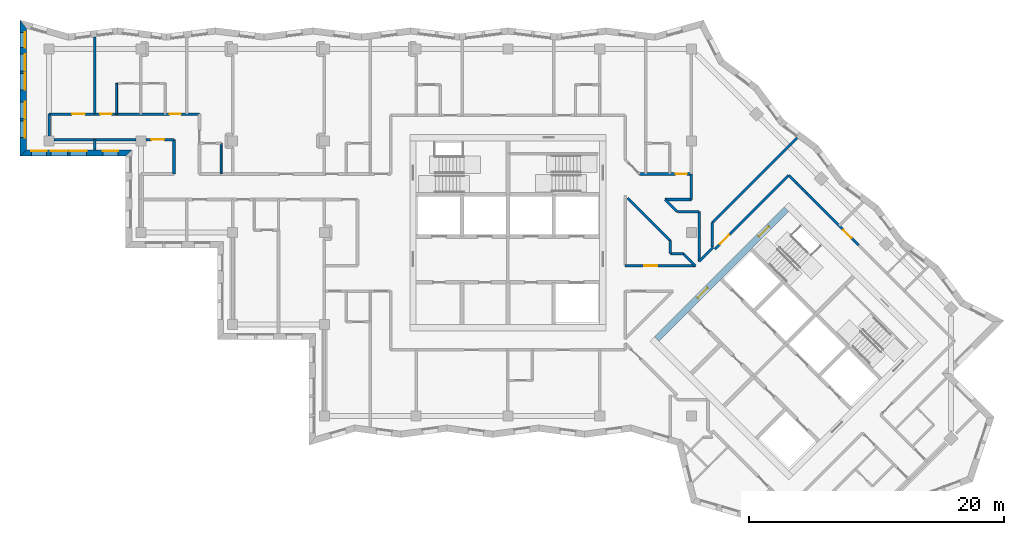
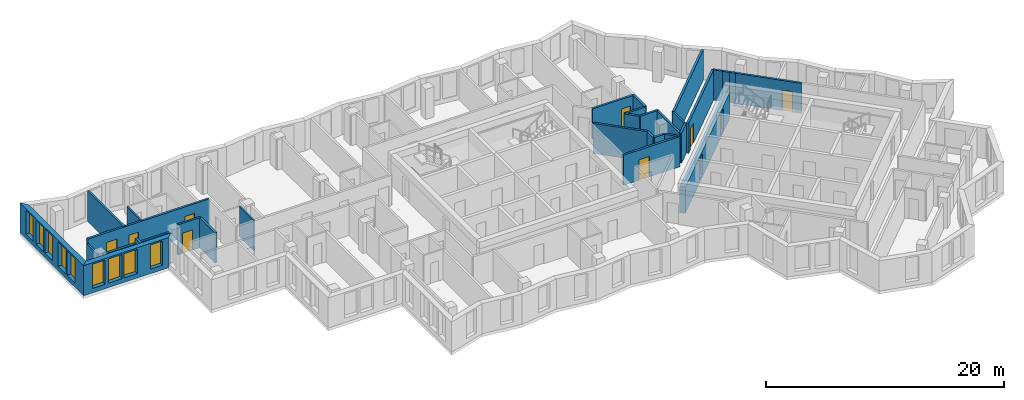
# One storey, part 5 of 12: 31 walls, 10 doors, 9 windows, 19 openings.
"""IFC4 building model written with IfcOpenShell, lengths in metres."""

from ifc_helpers import new_model, si_unit, direction, frame, frame_2d, origin, place, context, subcontext, project, spatial, polyline, rectangle, outline, extrude, material, layer, layer_set, type_object, element, fill, save


model = new_model("IFC4")

# Units and contexts
model_context = context("Model", 3, precision=1e-05, world=origin(), true_north=direction((0.0, 1.0)))
body_context = subcontext(model_context, "Body", "Model", "MODEL_VIEW")
ifc_project = project(units=[si_unit("LENGTHUNIT", "METRE"), si_unit("AREAUNIT", "SQUARE_METRE"), si_unit("VOLUMEUNIT", "CUBIC_METRE"), si_unit("PLANEANGLEUNIT", "RADIAN"), si_unit("MASSUNIT", "GRAM", prefix="KILO")], contexts=[model_context])

# Site, building, storey
site_placement = place(None, origin())
site = spatial("IfcSite", under=ifc_project, at=site_placement, CompositionType="ELEMENT")
building_placement = place(site_placement, origin())
building = spatial("IfcBuilding", under=site, at=building_placement, Name="Windrow Commons", CompositionType="ELEMENT")
storey_placement = place(building_placement, frame((0.0, 0.0, 210.0)))
storey = spatial("IfcBuildingStorey", under=building, at=storey_placement, Name="L57", CompositionType="ELEMENT", Elevation=210.0)

# Wall, openings, windows
ifc_material_1 = material(Name="Brick masonry, red clay brick", Category="masonry")
ifc_layer_1 = layer(ifc_material_1, 0.5)
ifc_layer_set_1 = layer_set([ifc_layer_1], Name="Brick facade wall 500")
wall_type_1 = type_object("IfcWallType", Name="Brick facade wall 500", PredefinedType="SOLIDWALL", material=ifc_layer_set_1)
wall_1_placement = place(storey_placement, frame((26.768, 73.9516, 0.0), z_axis=(0.0, 0.0, 1.0), x_axis=(0.0, -1.0, 0.0)))
wall_1 = element("IfcWall", 1, at=wall_1_placement, inside=storey, type_object=wall_type_1, Name="Brick facade wall L57 31", PredefinedType="SOLIDWALL", context=body_context, shape_type="SweptSolid", body=[
    extrude(outline(polyline([(-0.3304, -0.25), (10.3516, -0.25), (9.8516, 0.25), (0.3304, 0.25), (-0.3304, -0.25)])), origin(), (0.0, 0.0, 1.0), 3.1),
])
opening_1_placement = place(wall_1_placement, frame((2.3516, 0.0, 0.45)))
opening_1 = element("IfcOpeningElement", 2, at=opening_1_placement, cuts=wall_1, Name="Opening W1Q", PredefinedType="OPENING", context=body_context, shape_type="SweptSolid", body=[
    extrude(rectangle(XDim=1.3, YDim=2.5, at=frame_2d((0.65, 1.25))), frame((0.0, 0.26, 0.0), z_axis=(0.0, -1.0, 0.0), x_axis=(1.0, 0.0, 0.0)), (0.0, 0.0, 1.0), 0.52),
])
opening_2_placement = place(wall_1_placement, frame((3.8516, 0.0, 0.45)))
opening_2 = element("IfcOpeningElement", 3, at=opening_2_placement, cuts=wall_1, Name="Opening W1Q", PredefinedType="OPENING", context=body_context, shape_type="SweptSolid", body=[
    extrude(rectangle(XDim=1.3, YDim=2.5, at=frame_2d((0.65, 1.25))), frame((0.0, 0.26, 0.0), z_axis=(0.0, -1.0, 0.0), x_axis=(1.0, 0.0, 0.0)), (0.0, 0.0, 1.0), 0.52),
])
opening_3_placement = place(wall_1_placement, frame((6.1016, 0.0, 0.45)))
opening_3 = element("IfcOpeningElement", 4, at=opening_3_placement, cuts=wall_1, Name="Opening W1Q", PredefinedType="OPENING", context=body_context, shape_type="SweptSolid", body=[
    extrude(rectangle(XDim=1.3, YDim=2.5, at=frame_2d((0.65, 1.25))), frame((0.0, 0.26, 0.0), z_axis=(0.0, -1.0, 0.0), x_axis=(1.0, 0.0, 0.0)), (0.0, 0.0, 1.0), 0.52),
])
opening_4_placement = place(wall_1_placement, frame((7.6016, 0.0, 0.45)))
opening_4 = element("IfcOpeningElement", 5, at=opening_4_placement, cuts=wall_1, Name="Opening W1Q", PredefinedType="OPENING", context=body_context, shape_type="SweptSolid", body=[
    extrude(rectangle(XDim=1.3, YDim=2.5, at=frame_2d((0.65, 1.25))), frame((0.0, 0.26, 0.0), z_axis=(0.0, -1.0, 0.0), x_axis=(1.0, 0.0, 0.0)), (0.0, 0.0, 1.0), 0.52),
])
opening_5_placement = place(wall_1_placement, frame((0.641, 0.0, 0.45)))
opening_5 = element("IfcOpeningElement", 6, at=opening_5_placement, cuts=wall_1, Name="Opening W7E", PredefinedType="OPENING", context=body_context, shape_type="SweptSolid", body=[
    extrude(rectangle(XDim=1.2, YDim=2.5, at=frame_2d((0.6, 1.25))), frame((0.0, 0.26, 0.0), z_axis=(0.0, -1.0, 0.0), x_axis=(1.0, 0.0, 0.0)), (0.0, 0.0, 1.0), 0.52),
])
ifc_material_2 = material(Name="Clear float glass in anodised aluminium frame", Category="aluminium")
window_type_1 = type_object("IfcWindowType", Name="Window W1Q pair 1300x2500", PartitioningType="SINGLE_PANEL", PredefinedType="WINDOW", material=ifc_material_2)
window_1_placement = place(opening_1_placement, origin())
window_1 = element("IfcWindow", 7, at=window_1_placement, inside=storey, type_object=window_type_1, Name="Window L57 31.1A", OverallHeight=2.5, OverallWidth=1.3, PartitioningType="SINGLE_PANEL", PredefinedType="WINDOW", context=body_context, shape_type="SweptSolid", body=[
    extrude(rectangle(XDim=1.3, YDim=2.5, at=frame_2d((0.65, 1.25))), frame((0.0, 0.18, 0.0), z_axis=(0.0, -1.0, 0.0), x_axis=(1.0, 0.0, 0.0)), (0.0, 0.0, 1.0), 0.06),
])
fill(opening_1, window_1)
window_2_placement = place(opening_2_placement, origin())
window_2 = element("IfcWindow", 8, at=window_2_placement, inside=storey, type_object=window_type_1, Name="Window L57 31.1B", OverallHeight=2.5, OverallWidth=1.3, PartitioningType="SINGLE_PANEL", PredefinedType="WINDOW", context=body_context, shape_type="SweptSolid", body=[
    extrude(rectangle(XDim=1.3, YDim=2.5, at=frame_2d((0.65, 1.25))), frame((0.0, 0.18, 0.0), z_axis=(0.0, -1.0, 0.0), x_axis=(1.0, 0.0, 0.0)), (0.0, 0.0, 1.0), 0.06),
])
fill(opening_2, window_2)
window_3_placement = place(opening_3_placement, origin())
window_3 = element("IfcWindow", 9, at=window_3_placement, inside=storey, type_object=window_type_1, Name="Window L57 31.2A", OverallHeight=2.5, OverallWidth=1.3, PartitioningType="SINGLE_PANEL", PredefinedType="WINDOW", context=body_context, shape_type="SweptSolid", body=[
    extrude(rectangle(XDim=1.3, YDim=2.5, at=frame_2d((0.65, 1.25))), frame((0.0, 0.18, 0.0), z_axis=(0.0, -1.0, 0.0), x_axis=(1.0, 0.0, 0.0)), (0.0, 0.0, 1.0), 0.06),
])
fill(opening_3, window_3)
window_4_placement = place(opening_4_placement, origin())
window_4 = element("IfcWindow", 10, at=window_4_placement, inside=storey, type_object=window_type_1, Name="Window L57 31.2B", OverallHeight=2.5, OverallWidth=1.3, PartitioningType="SINGLE_PANEL", PredefinedType="WINDOW", context=body_context, shape_type="SweptSolid", body=[
    extrude(rectangle(XDim=1.3, YDim=2.5, at=frame_2d((0.65, 1.25))), frame((0.0, 0.18, 0.0), z_axis=(0.0, -1.0, 0.0), x_axis=(1.0, 0.0, 0.0)), (0.0, 0.0, 1.0), 0.06),
])
fill(opening_4, window_4)
ifc_material_3 = material(Name="Clear float glass in anodised aluminium frame", Category="aluminium")
window_type_2 = type_object("IfcWindowType", Name="Window W7 notch 1200x2500", PartitioningType="SINGLE_PANEL", PredefinedType="WINDOW", material=ifc_material_3)
window_5_placement = place(opening_5_placement, origin())
window_5 = element("IfcWindow", 11, at=window_5_placement, inside=storey, type_object=window_type_2, Name="Window L57 31.3", OverallHeight=2.5, OverallWidth=1.2, PartitioningType="SINGLE_PANEL", PredefinedType="WINDOW", context=body_context, shape_type="SweptSolid", body=[
    extrude(rectangle(XDim=1.2, YDim=2.5, at=frame_2d((0.6, 1.25))), frame((0.0, 0.18, 0.0), z_axis=(0.0, -1.0, 0.0), x_axis=(1.0, 0.0, 0.0)), (0.0, 0.0, 1.0), 0.06),
])
fill(opening_5, window_5)

wall_2_placement = place(storey_placement, frame((26.768, 63.85, 0.0), z_axis=(0.0, 0.0, 1.0), x_axis=(1.0, 0.0, 0.0)))
wall_2 = element("IfcWall", 12, at=wall_2_placement, inside=storey, type_object=wall_type_1, Name="Brick facade wall L57 32", PredefinedType="SOLIDWALL", context=body_context, shape_type="SweptSolid", body=[
    extrude(outline(polyline([(-0.25, -0.25), (8.032, -0.25), (8.532, 0.25), (0.25, 0.25), (-0.25, -0.25)])), origin(), (0.0, 0.0, 1.0), 3.1),
])
opening_6_placement = place(wall_2_placement, frame((2.182, 0.0, 0.45)))
opening_6 = element("IfcOpeningElement", 13, at=opening_6_placement, cuts=wall_2, Name="Opening W1Q", PredefinedType="OPENING", context=body_context, shape_type="SweptSolid", body=[
    extrude(rectangle(XDim=1.3, YDim=2.5, at=frame_2d((0.65, 1.25))), frame((0.0, 0.26, 0.0), z_axis=(0.0, -1.0, 0.0), x_axis=(1.0, 0.0, 0.0)), (0.0, 0.0, 1.0), 0.52),
])
opening_7_placement = place(wall_2_placement, frame((3.682, 0.0, 0.45)))
opening_7 = element("IfcOpeningElement", 14, at=opening_7_placement, cuts=wall_2, Name="Opening W1Q", PredefinedType="OPENING", context=body_context, shape_type="SweptSolid", body=[
    extrude(rectangle(XDim=1.3, YDim=2.5, at=frame_2d((0.65, 1.25))), frame((0.0, 0.26, 0.0), z_axis=(0.0, -1.0, 0.0), x_axis=(1.0, 0.0, 0.0)), (0.0, 0.0, 1.0), 0.52),
])
opening_8_placement = place(wall_2_placement, frame((0.641, 0.0, 0.45)))
opening_8 = element("IfcOpeningElement", 15, at=opening_8_placement, cuts=wall_2, Name="Opening W7E", PredefinedType="OPENING", context=body_context, shape_type="SweptSolid", body=[
    extrude(rectangle(XDim=1.2, YDim=2.5, at=frame_2d((0.6, 1.25))), frame((0.0, 0.26, 0.0), z_axis=(0.0, -1.0, 0.0), x_axis=(1.0, 0.0, 0.0)), (0.0, 0.0, 1.0), 0.52),
])
opening_9_placement = place(wall_2_placement, frame((6.257, 0.0, 0.45)))
opening_9 = element("IfcOpeningElement", 16, at=opening_9_placement, cuts=wall_2, Name="Opening W7E", PredefinedType="OPENING", context=body_context, shape_type="SweptSolid", body=[
    extrude(rectangle(XDim=1.2, YDim=2.5, at=frame_2d((0.6, 1.25))), frame((0.0, 0.26, 0.0), z_axis=(0.0, -1.0, 0.0), x_axis=(1.0, 0.0, 0.0)), (0.0, 0.0, 1.0), 0.52),
])
window_6_placement = place(opening_6_placement, origin())
window_6 = element("IfcWindow", 17, at=window_6_placement, inside=storey, type_object=window_type_1, Name="Window L57 32.1A", OverallHeight=2.5, OverallWidth=1.3, PartitioningType="SINGLE_PANEL", PredefinedType="WINDOW", context=body_context, shape_type="SweptSolid", body=[
    extrude(rectangle(XDim=1.3, YDim=2.5, at=frame_2d((0.65, 1.25))), frame((0.0, 0.18, 0.0), z_axis=(0.0, -1.0, 0.0), x_axis=(1.0, 0.0, 0.0)), (0.0, 0.0, 1.0), 0.06),
])
fill(opening_6, window_6)
window_7_placement = place(opening_7_placement, origin())
window_7 = element("IfcWindow", 18, at=window_7_placement, inside=storey, type_object=window_type_1, Name="Window L57 32.1B", OverallHeight=2.5, OverallWidth=1.3, PartitioningType="SINGLE_PANEL", PredefinedType="WINDOW", context=body_context, shape_type="SweptSolid", body=[
    extrude(rectangle(XDim=1.3, YDim=2.5, at=frame_2d((0.65, 1.25))), frame((0.0, 0.18, 0.0), z_axis=(0.0, -1.0, 0.0), x_axis=(1.0, 0.0, 0.0)), (0.0, 0.0, 1.0), 0.06),
])
fill(opening_7, window_7)
window_8_placement = place(opening_8_placement, origin())
window_8 = element("IfcWindow", 19, at=window_8_placement, inside=storey, type_object=window_type_2, Name="Window L57 32.2", OverallHeight=2.5, OverallWidth=1.2, PartitioningType="SINGLE_PANEL", PredefinedType="WINDOW", context=body_context, shape_type="SweptSolid", body=[
    extrude(rectangle(XDim=1.2, YDim=2.5, at=frame_2d((0.6, 1.25))), frame((0.0, 0.18, 0.0), z_axis=(0.0, -1.0, 0.0), x_axis=(1.0, 0.0, 0.0)), (0.0, 0.0, 1.0), 0.06),
])
fill(opening_8, window_8)
window_9_placement = place(opening_9_placement, origin())
window_9 = element("IfcWindow", 20, at=window_9_placement, inside=storey, type_object=window_type_2, Name="Window L57 32.3", OverallHeight=2.5, OverallWidth=1.2, PartitioningType="SINGLE_PANEL", PredefinedType="WINDOW", context=body_context, shape_type="SweptSolid", body=[
    extrude(rectangle(XDim=1.2, YDim=2.5, at=frame_2d((0.6, 1.25))), frame((0.0, 0.18, 0.0), z_axis=(0.0, -1.0, 0.0), x_axis=(1.0, 0.0, 0.0)), (0.0, 0.0, 1.0), 0.06),
])
fill(opening_9, window_9)

# Wall, openings, doors
ifc_material_4 = material(Name="Blockwork partition", Category="masonry")
ifc_layer_2 = layer(ifc_material_4, 0.2)
ifc_layer_set_2 = layer_set([ifc_layer_2], Name="IW-CORRIDOR-200")
wall_type_2 = type_object("IfcWallType", Name="IW-CORRIDOR-200", PredefinedType="PARTITIONING", material=ifc_layer_set_2)
wall_3_placement = place(storey_placement, frame((28.802, 66.9, 0.0), z_axis=(0.0, 0.0, 1.0), x_axis=(1.0, 0.0, 0.0)))
wall_3 = element("IfcWall", 21, at=wall_3_placement, inside=storey, type_object=wall_type_2, Name="W-L57-W004", PredefinedType="PARTITIONING", context=body_context, shape_type="SweptSolid", body=[
    extrude(rectangle(XDim=11.798, YDim=0.2, at=frame_2d((5.899, 0.0))), origin(), (0.0, 0.0, 1.0), 3.1),
])
opening_10_placement = place(wall_3_placement, frame((1.8052, 0.0, 0.0)))
opening_10 = element("IfcOpeningElement", 22, at=opening_10_placement, cuts=wall_3, Name="Opening D310F", PredefinedType="OPENING", context=body_context, shape_type="SweptSolid", body=[
    extrude(rectangle(XDim=1.0, YDim=2.1, at=frame_2d((0.5, 1.05))), frame((0.0, 0.11, 0.0), z_axis=(0.0, -1.0, 0.0), x_axis=(1.0, 0.0, 0.0)), (0.0, 0.0, 1.0), 0.22),
])
opening_11_placement = place(wall_3_placement, frame((3.998, 0.0, 0.0)))
opening_11 = element("IfcOpeningElement", 23, at=opening_11_placement, cuts=wall_3, Name="Opening D109S", PredefinedType="OPENING", context=body_context, shape_type="SweptSolid", body=[
    extrude(rectangle(XDim=0.9, YDim=2.1, at=frame_2d((0.45, 1.05))), frame((0.0, 0.11, 0.0), z_axis=(0.0, -1.0, 0.0), x_axis=(1.0, 0.0, 0.0)), (0.0, 0.0, 1.0), 0.22),
])
opening_12_placement = place(wall_3_placement, frame((9.448, 0.0, 0.0)))
opening_12 = element("IfcOpeningElement", 24, at=opening_12_placement, cuts=wall_3, Name="Opening D109S", PredefinedType="OPENING", context=body_context, shape_type="SweptSolid", body=[
    extrude(rectangle(XDim=0.9, YDim=2.1, at=frame_2d((0.45, 1.05))), frame((0.0, 0.11, 0.0), z_axis=(0.0, -1.0, 0.0), x_axis=(1.0, 0.0, 0.0)), (0.0, 0.0, 1.0), 0.22),
])
ifc_material_5 = material(Name="Timber door leaf", Category="wood")
door_type_1 = type_object("IfcDoorType", Name="DT-AMENITY-1000", OperationType="SINGLE_SWING_LEFT", PredefinedType="DOOR", material=ifc_material_5)
door_1_placement = place(opening_10_placement, origin())
door_1 = element("IfcDoor", 25, at=door_1_placement, inside=storey, type_object=door_type_1, Name="D-L57-D001", OperationType="SINGLE_SWING_RIGHT", OverallHeight=2.1, OverallWidth=1.0, PredefinedType="DOOR", context=body_context, shape_type="SweptSolid", body=[
    extrude(rectangle(XDim=1.0, YDim=2.1, at=frame_2d((0.5, 1.05))), frame((0.0, 0.025, 0.0), z_axis=(0.0, -1.0, 0.0), x_axis=(1.0, 0.0, 0.0)), (0.0, 0.0, 1.0), 0.05),
])
fill(opening_10, door_1)
ifc_material_6 = material(Name="Timber door leaf", Category="wood")
door_type_2 = type_object("IfcDoorType", Name="DT-BEDROOM-900", OperationType="SINGLE_SWING_LEFT", PredefinedType="DOOR", material=ifc_material_6)
door_2_placement = place(opening_11_placement, origin())
door_2 = element("IfcDoor", 26, at=door_2_placement, inside=storey, type_object=door_type_2, Name="D-L57-D003", OperationType="SINGLE_SWING_LEFT", OverallHeight=2.1, OverallWidth=0.9, PredefinedType="DOOR", context=body_context, shape_type="SweptSolid", body=[
    extrude(rectangle(XDim=0.9, YDim=2.1, at=frame_2d((0.45, 1.05))), frame((0.0, 0.025, 0.0), z_axis=(0.0, -1.0, 0.0), x_axis=(1.0, 0.0, 0.0)), (0.0, 0.0, 1.0), 0.05),
])
fill(opening_11, door_2)
door_3_placement = place(opening_12_placement, origin())
door_3 = element("IfcDoor", 27, at=door_3_placement, inside=storey, type_object=door_type_2, Name="D-L57-D005", OperationType="SINGLE_SWING_RIGHT", OverallHeight=2.1, OverallWidth=0.9, PredefinedType="DOOR", context=body_context, shape_type="SweptSolid", body=[
    extrude(rectangle(XDim=0.9, YDim=2.1, at=frame_2d((0.45, 1.05))), frame((0.0, 0.025, 0.0), z_axis=(0.0, -1.0, 0.0), x_axis=(1.0, 0.0, 0.0)), (0.0, 0.0, 1.0), 0.05),
])
fill(opening_12, door_3)

# Wall, opening, door
wall_4_placement = place(storey_placement, frame((81.0373, 56.3027, 0.0), z_axis=(0.0, 0.0, 1.0), x_axis=(0.7071067812, 0.7071067812, 0.0)))
wall_4 = element("IfcWall", 28, at=wall_4_placement, inside=storey, type_object=wall_type_2, Name="W-L57-W011", PredefinedType="PARTITIONING", context=body_context, shape_type="SweptSolid", body=[
    extrude(rectangle(XDim=8.1996, YDim=0.2, at=frame_2d((4.0998, 0.0))), origin(), (0.0, 0.0, 1.0), 3.1),
])
opening_13_placement = place(wall_4_placement, frame((0.5924, 0.0, 0.0)))
opening_13 = element("IfcOpeningElement", 29, at=opening_13_placement, cuts=wall_4, Name="Opening D310F", PredefinedType="OPENING", context=body_context, shape_type="SweptSolid", body=[
    extrude(rectangle(XDim=1.0, YDim=2.1, at=frame_2d((0.5, 1.05))), frame((0.0, 0.11, 0.0), z_axis=(0.0, -1.0, 0.0), x_axis=(1.0, 0.0, 0.0)), (0.0, 0.0, 1.0), 0.22),
])
door_4_placement = place(opening_13_placement, origin())
door_4 = element("IfcDoor", 30, at=door_4_placement, inside=storey, type_object=door_type_1, Name="D-L57-D035", OperationType="SINGLE_SWING_RIGHT", OverallHeight=2.1, OverallWidth=1.0, PredefinedType="DOOR", context=body_context, shape_type="SweptSolid", body=[
    extrude(rectangle(XDim=1.0, YDim=2.1, at=frame_2d((0.5, 1.05))), frame((0.0, 0.025, 0.0), z_axis=(0.0, -1.0, 0.0), x_axis=(1.0, 0.0, 0.0)), (0.0, 0.0, 1.0), 0.05),
])
fill(opening_13, door_4)

# Wall
wall_5_placement = place(storey_placement, frame((29.2, 64.9, 0.0), z_axis=(0.0, 0.0, 1.0), x_axis=(1.0, 0.0, 0.0)))
element("IfcWall", 31, at=wall_5_placement, inside=storey, type_object=wall_type_2, Name="W-L57-W017", PredefinedType="PARTITIONING", context=body_context, shape_type="SweptSolid", body=[
    extrude(rectangle(XDim=6.4, YDim=0.2, at=frame_2d((3.2, 0.0))), origin(), (0.0, 0.0, 1.0), 2.6),
])

# Wall, opening, door
wall_6_placement = place(storey_placement, frame((88.2474, 60.6834, 0.0), z_axis=(0.0, 0.0, 1.0), x_axis=(0.7071067812, -0.7071067812, 0.0)))
wall_6 = element("IfcWall", 32, at=wall_6_placement, inside=storey, type_object=wall_type_2, Name="W-L57-W028", PredefinedType="PARTITIONING", context=body_context, shape_type="SweptSolid", body=[
    extrude(rectangle(XDim=5.7417, YDim=0.2, at=frame_2d((2.8708, 0.0))), origin(), (0.0, 0.0, 1.0), 3.1),
])
opening_14_placement = place(wall_6_placement, frame((4.0693, 0.0, 0.0)))
opening_14 = element("IfcOpeningElement", 33, at=opening_14_placement, cuts=wall_6, Name="Opening D109S", PredefinedType="OPENING", context=body_context, shape_type="SweptSolid", body=[
    extrude(rectangle(XDim=0.9, YDim=2.1, at=frame_2d((0.45, 1.05))), frame((0.0, 0.11, 0.0), z_axis=(0.0, -1.0, 0.0), x_axis=(1.0, 0.0, 0.0)), (0.0, 0.0, 1.0), 0.22),
])
door_5_placement = place(opening_14_placement, origin())
door_5 = element("IfcDoor", 34, at=door_5_placement, inside=storey, type_object=door_type_2, Name="D-L57-D037", OperationType="SINGLE_SWING_RIGHT", OverallHeight=2.1, OverallWidth=0.9, PredefinedType="DOOR", context=body_context, shape_type="SweptSolid", body=[
    extrude(rectangle(XDim=0.9, YDim=2.1, at=frame_2d((0.45, 1.05))), frame((0.0, 0.025, 0.0), z_axis=(0.0, -1.0, 0.0), x_axis=(1.0, 0.0, 0.0)), (0.0, 0.0, 1.0), 0.05),
])
fill(opening_14, door_5)

wall_7_placement = place(storey_placement, frame((74.002, 55.0, 0.0), z_axis=(0.0, 0.0, 1.0), x_axis=(1.0, 0.0, 0.0)))
wall_7 = element("IfcWall", 35, at=wall_7_placement, inside=storey, type_object=wall_type_2, Name="W-L57-W029", PredefinedType="PARTITIONING", context=body_context, shape_type="SweptSolid", body=[
    extrude(rectangle(XDim=5.508, YDim=0.2, at=frame_2d((2.754, 0.0))), origin(), (0.0, 0.0, 1.0), 3.1),
])
opening_15_placement = place(wall_7_placement, frame((1.51, 0.0, 0.0)))
opening_15 = element("IfcOpeningElement", 36, at=opening_15_placement, cuts=wall_7, Name="Opening D410F", PredefinedType="OPENING", context=body_context, shape_type="SweptSolid", body=[
    extrude(rectangle(XDim=1.0, YDim=2.1, at=frame_2d((0.5, 1.05))), frame((0.0, 0.11, 0.0), z_axis=(0.0, -1.0, 0.0), x_axis=(1.0, 0.0, 0.0)), (0.0, 0.0, 1.0), 0.22),
])
ifc_material_7 = material(Name="Timber door leaf", Category="wood")
door_type_3 = type_object("IfcDoorType", Name="DT-SERVICE-1000", OperationType="SINGLE_SWING_LEFT", PredefinedType="DOOR", material=ifc_material_7)
door_6_placement = place(opening_15_placement, origin())
door_6 = element("IfcDoor", 37, at=door_6_placement, inside=storey, type_object=door_type_3, Name="D-L57-D034", OperationType="SINGLE_SWING_LEFT", OverallHeight=2.1, OverallWidth=1.0, PredefinedType="DOOR", context=body_context, shape_type="SweptSolid", body=[
    extrude(rectangle(XDim=1.0, YDim=2.1, at=frame_2d((0.5, 1.05))), frame((0.0, 0.025, 0.0), z_axis=(0.0, -1.0, 0.0), x_axis=(1.0, 0.0, 0.0)), (0.0, 0.0, 1.0), 0.05),
])
fill(opening_15, door_6)

# Wall
wall_8_placement = place(storey_placement, frame((74.1969, 60.3089, 0.0), z_axis=(0.0, 0.0, 1.0), x_axis=(0.7071067812, -0.7071067812, 0.0)))
element("IfcWall", 38, at=wall_8_placement, inside=storey, type_object=wall_type_2, Name="W-L57-W038", PredefinedType="PARTITIONING", context=body_context, shape_type="SweptSolid", body=[
    extrude(rectangle(XDim=4.7376, YDim=0.2, at=frame_2d((2.3688, 0.0))), origin(), (0.0, 0.0, 1.0), 3.1),
])

# Wall, opening, door
wall_9_placement = place(storey_placement, frame((75.142, 62.2, 0.0), z_axis=(0.0, 0.0, 1.0), x_axis=(1.0, 0.0, 0.0)))
wall_9 = element("IfcWall", 39, at=wall_9_placement, inside=storey, type_object=wall_type_2, Name="W-L57-W042", PredefinedType="PARTITIONING", context=body_context, shape_type="SweptSolid", body=[
    extrude(rectangle(XDim=4.058, YDim=0.2, at=frame_2d((2.029, 0.0))), origin(), (0.0, 0.0, 1.0), 3.1),
])
opening_16_placement = place(wall_9_placement, frame((2.808, 0.0, 0.0)))
opening_16 = element("IfcOpeningElement", 40, at=opening_16_placement, cuts=wall_9, Name="Opening D109S", PredefinedType="OPENING", context=body_context, shape_type="SweptSolid", body=[
    extrude(rectangle(XDim=0.9, YDim=2.1, at=frame_2d((0.45, 1.05))), frame((0.0, 0.11, 0.0), z_axis=(0.0, -1.0, 0.0), x_axis=(1.0, 0.0, 0.0)), (0.0, 0.0, 1.0), 0.22),
])
door_7_placement = place(opening_16_placement, origin())
door_7 = element("IfcDoor", 41, at=door_7_placement, inside=storey, type_object=door_type_2, Name="D-L57-D023", OperationType="SINGLE_SWING_LEFT", OverallHeight=2.1, OverallWidth=0.9, PredefinedType="DOOR", context=body_context, shape_type="SweptSolid", body=[
    extrude(rectangle(XDim=0.9, YDim=2.1, at=frame_2d((0.45, 1.05))), frame((0.0, 0.025, 0.0), z_axis=(0.0, -1.0, 0.0), x_axis=(1.0, 0.0, 0.0)), (0.0, 0.0, 1.0), 0.05),
])
fill(opening_16, door_7)

# Walls
wall_10_placement = place(storey_placement, frame((79.8, 55.35, 0.0), z_axis=(0.0, 0.0, 1.0), x_axis=(0.0, 1.0, 0.0)))
element("IfcWall", 42, at=wall_10_placement, inside=storey, type_object=wall_type_2, Name="W-L57-W044", PredefinedType="PARTITIONING", context=body_context, shape_type="SweptSolid", body=[
    extrude(rectangle(XDim=3.9, YDim=0.2, at=frame_2d((1.95, 0.0))), origin(), (0.0, 0.0, 1.0), 3.1),
])
wall_11_placement = place(storey_placement, frame((38.6, 62.202, 0.0), z_axis=(0.0, 0.0, 1.0), x_axis=(0.0, 1.0, 0.0)))
element("IfcWall", 43, at=wall_11_placement, inside=storey, type_object=wall_type_2, Name="W-L57-W054", PredefinedType="PARTITIONING", context=body_context, shape_type="SweptSolid", body=[
    extrude(rectangle(XDim=2.698, YDim=0.2, at=frame_2d((1.349, 0.0))), origin(), (0.0, 0.0, 1.0), 3.1),
])

# Wall, opening, door
wall_12_placement = place(storey_placement, frame((36.4, 64.9, 0.0), z_axis=(0.0, 0.0, 1.0), x_axis=(1.0, 0.0, 0.0)))
wall_12 = element("IfcWall", 44, at=wall_12_placement, inside=storey, type_object=wall_type_2, Name="W-L57-W088", PredefinedType="PARTITIONING", context=body_context, shape_type="SweptSolid", body=[
    extrude(rectangle(XDim=2.2, YDim=0.2, at=frame_2d((1.1, 0.0))), origin(), (0.0, 0.0, 1.0), 3.1),
])
opening_17_placement = place(wall_12_placement, frame((0.4338, 0.0, 0.0)))
opening_17 = element("IfcOpeningElement", 45, at=opening_17_placement, cuts=wall_12, Name="Opening D310F", PredefinedType="OPENING", context=body_context, shape_type="SweptSolid", body=[
    extrude(rectangle(XDim=1.0, YDim=2.1, at=frame_2d((0.5, 1.05))), frame((0.0, 0.11, 0.0), z_axis=(0.0, -1.0, 0.0), x_axis=(1.0, 0.0, 0.0)), (0.0, 0.0, 1.0), 0.22),
])
door_8_placement = place(opening_17_placement, origin())
door_8 = element("IfcDoor", 46, at=door_8_placement, inside=storey, type_object=door_type_1, Name="D-L57-D002", OperationType="SINGLE_SWING_RIGHT", OverallHeight=2.1, OverallWidth=1.0, PredefinedType="DOOR", context=body_context, shape_type="SweptSolid", body=[
    extrude(rectangle(XDim=1.0, YDim=2.1, at=frame_2d((0.5, 1.05))), frame((0.0, 0.025, 0.0), z_axis=(0.0, -1.0, 0.0), x_axis=(1.0, 0.0, 0.0)), (0.0, 0.0, 1.0), 0.05),
])
fill(opening_17, door_8)

# Walls
wall_13_placement = place(storey_placement, frame((77.144, 60.2, 0.0), z_axis=(0.0, 0.0, 1.0), x_axis=(1.0, 0.0, 0.0)))
element("IfcWall", 47, at=wall_13_placement, inside=storey, type_object=wall_type_2, Name="W-L57-W098", PredefinedType="PARTITIONING", context=body_context, shape_type="SweptSolid", body=[
    extrude(rectangle(XDim=2.056, YDim=0.2, at=frame_2d((1.028, 0.0))), origin(), (0.0, 0.0, 1.0), 3.1),
])
wall_14_placement = place(storey_placement, frame((79.2, 60.2, 0.0), z_axis=(0.0, 0.0, 1.0), x_axis=(0.0, 1.0, 0.0)))
element("IfcWall", 48, at=wall_14_placement, inside=storey, type_object=wall_type_2, Name="W-L57-W103", PredefinedType="PARTITIONING", context=body_context, shape_type="SweptSolid", body=[
    extrude(rectangle(XDim=2.0, YDim=0.2, at=frame_2d((1.0, 0.0))), origin(), (0.0, 0.0, 1.0), 3.1),
])
wall_15_placement = place(storey_placement, frame((78.092, 59.25, 0.0), z_axis=(0.0, 0.0, 1.0), x_axis=(1.0, 0.0, 0.0)))
element("IfcWall", 49, at=wall_15_placement, inside=storey, type_object=wall_type_2, Name="W-L57-W116", PredefinedType="PARTITIONING", context=body_context, shape_type="SweptSolid", body=[
    extrude(rectangle(XDim=1.708, YDim=0.2, at=frame_2d((0.854, 0.0))), origin(), (0.0, 0.0, 1.0), 3.1),
])
wall_16_placement = place(storey_placement, frame((28.8, 65.2, 0.0), z_axis=(0.0, 0.0, 1.0), x_axis=(0.0, 1.0, 0.0)))
element("IfcWall", 50, at=wall_16_placement, inside=storey, type_object=wall_type_2, Name="W-L57-W118", PredefinedType="PARTITIONING", context=body_context, shape_type="SweptSolid", body=[
    extrude(rectangle(XDim=1.698, YDim=0.2, at=frame_2d((0.849, 0.0))), origin(), (0.0, 0.0, 1.0), 2.6),
])
wall_17_placement = place(storey_placement, frame((79.8028, 55.3472, 0.0), z_axis=(0.0, 0.0, 1.0), x_axis=(0.706460727, 0.7077522457, 0.0)))
element("IfcWall", 51, at=wall_17_placement, inside=storey, type_object=wall_type_2, Name="W-L57-W120", PredefinedType="PARTITIONING", context=body_context, shape_type="SweptSolid", body=[
    extrude(rectangle(XDim=1.5486, YDim=0.2, at=frame_2d((0.7743, 0.0))), origin(), (0.0, 0.0, 1.0), 3.1),
])
for number, where, z_axis, x_axis, name in (
    (52, (78.5589, 55.9469, 0.0), (0.0, 0.0, 1.0), (0.7071067812, -0.7071067812, 0.0), "W-L57-W123"),
    (53, (77.1391, 60.1951, 0.0), (0.0, 0.0, 1.0), (0.7071067812, -0.7071067812, 0.0), "W-L57-W124"),
):
    element("IfcWall", number, at=place(storey_placement, frame(where, z_axis=z_axis, x_axis=x_axis)), inside=storey, type_object=wall_type_2, Name=name, PredefinedType="PARTITIONING", context=body_context, shape_type="SweptSolid", body=[
        extrude(rectangle(XDim=1.3407, YDim=0.2, at=frame_2d((0.6704, 0.0))), origin(), (0.0, 0.0, 1.0), 3.1),
    ])
for number, where, z_axis, x_axis, name in (
    (54, (77.55, 55.952, 0.0), (0.0, 0.0, 1.0), (0.0, 1.0, 0.0), "W-L57-W131"),
    (55, (77.552, 55.95, 0.0), (0.0, 0.0, 1.0), (1.0, 0.0, 0.0), "W-L57-W132"),
):
    element("IfcWall", number, at=place(storey_placement, frame(where, z_axis=z_axis, x_axis=x_axis)), inside=storey, type_object=wall_type_2, Name=name, PredefinedType="PARTITIONING", context=body_context, shape_type="SweptSolid", body=[
        extrude(rectangle(XDim=1.01, YDim=0.2, at=frame_2d((0.505, 0.0))), origin(), (0.0, 0.0, 1.0), 3.1),
    ])
wall_18_placement = place(storey_placement, frame((86.8353, 62.0973, 0.0), z_axis=(0.0, 0.0, 1.0), x_axis=(0.7059370453, -0.7082745852, 0.0)))
element("IfcWall", 56, at=wall_18_placement, inside=storey, type_object=wall_type_2, Name="W-L57-W135", PredefinedType="PARTITIONING", context=body_context, shape_type="SweptSolid", body=[
    extrude(rectangle(XDim=0.8556, YDim=0.2, at=frame_2d((0.4278, 0.0))), origin(), (0.0, 0.0, 1.0), 3.1),
])
wall_19_placement = place(storey_placement, frame((87.4398, 61.4918, 0.0), z_axis=(0.0, 0.0, 1.0), x_axis=(0.7086591505, -0.7055509963, 0.0)))
element("IfcWall", 57, at=wall_19_placement, inside=storey, type_object=wall_type_2, Name="W-L57-W138", PredefinedType="PARTITIONING", context=body_context, shape_type="SweptSolid", body=[
    extrude(rectangle(XDim=0.6435, YDim=0.2, at=frame_2d((0.3217, 0.0))), origin(), (0.0, 0.0, 1.0), 3.1),
])
wall_20_placement = place(storey_placement, frame((87.8991, 61.0411, 0.0), z_axis=(0.0, 0.0, 1.0), x_axis=(0.7051008166, -0.7091070712, 0.0)))
element("IfcWall", 58, at=wall_20_placement, inside=storey, type_object=wall_type_2, Name="W-L57-W154", PredefinedType="PARTITIONING", context=body_context, shape_type="SweptSolid", body=[
    extrude(rectangle(XDim=0.4992, YDim=0.2, at=frame_2d((0.2496, 0.0))), origin(), (0.0, 0.0, 1.0), 3.1),
])
ifc_material_8 = material(Name="Blockwork partition", Category="masonry")
ifc_layer_3 = layer(ifc_material_8, 0.15)
ifc_layer_set_3 = layer_set([ifc_layer_3], Name="IW-ENSUITE-150")
wall_type_3 = type_object("IfcWallType", Name="IW-ENSUITE-150", PredefinedType="PARTITIONING", material=ifc_layer_set_3)
for number, where, z_axis, x_axis, name in (
    (59, (34.1, 66.9, 0.0), (0.0, 0.0, 1.0), (0.0, 1.0, 0.0), "W-L57-W073"),
    (60, (42.3, 62.2, 0.0), (0.0, 0.0, 1.0), (0.0, 1.0, 0.0), "W-L57-W076"),
):
    element("IfcWall", number, at=place(storey_placement, frame(where, z_axis=z_axis, x_axis=x_axis)), inside=storey, type_object=wall_type_3, Name=name, PredefinedType="PARTITIONING", context=body_context, shape_type="SweptSolid", body=[
        extrude(rectangle(XDim=2.4, YDim=0.15, at=frame_2d((1.2, 0.0))), origin(), (0.0, 0.0, 1.0), 3.1),
    ])
ifc_material_9 = material(Name="Blockwork partition", Category="masonry")
ifc_layer_4 = layer(ifc_material_9, 0.2)
ifc_layer_set_4 = layer_set([ifc_layer_4], Name="IW-PARTY-200")
wall_type_4 = type_object("IfcWallType", Name="IW-PARTY-200", PredefinedType="PARTITIONING", material=ifc_layer_set_4)
wall_21_placement = place(storey_placement, frame((80.8489, 58.3771, 0.0), z_axis=(0.0, 0.0, 1.0), x_axis=(0.7071067812, 0.7071067812, 0.0)))
element("IfcWall", 61, at=wall_21_placement, inside=storey, type_object=wall_type_4, Name="W-L57-W006", PredefinedType="PARTITIONING", context=body_context, shape_type="SweptSolid", body=[
    extrude(rectangle(XDim=9.4133, YDim=0.2, at=frame_2d((4.7066, 0.0))), origin(), (0.0, 0.0, 1.0), 3.1),
])
wall_22_placement = place(storey_placement, frame((32.4, 66.9, 0.0), z_axis=(0.0, 0.0, 1.0), x_axis=(0.0, 1.0, 0.0)))
element("IfcWall", 62, at=wall_22_placement, inside=storey, type_object=wall_type_4, Name="W-L57-W023", PredefinedType="PARTITIONING", context=body_context, shape_type="SweptSolid", body=[
    extrude(rectangle(XDim=6.0542, YDim=0.2, at=frame_2d((3.0271, 0.0))), origin(), (0.0, 0.0, 1.0), 3.1),
])
wall_23_placement = place(storey_placement, frame((80.85, 56.49, 0.0), z_axis=(0.0, 0.0, 1.0), x_axis=(0.0, 1.0, 0.0)))
element("IfcWall", 63, at=wall_23_placement, inside=storey, type_object=wall_type_4, Name="W-L57-W115", PredefinedType="PARTITIONING", context=body_context, shape_type="SweptSolid", body=[
    extrude(rectangle(XDim=1.886, YDim=0.2, at=frame_2d((0.943, 0.0))), origin(), (0.0, 0.0, 1.0), 3.1),
])
wall_24_placement = place(storey_placement, frame((32.4, 64.1, 0.0), z_axis=(0.0, 0.0, 1.0), x_axis=(0.0, 1.0, 0.0)))
element("IfcWall", 64, at=wall_24_placement, inside=storey, type_object=wall_type_4, Name="W-L57-W136", PredefinedType="PARTITIONING", context=body_context, shape_type="SweptSolid", body=[
    extrude(rectangle(XDim=0.8, YDim=0.2, at=frame_2d((0.4, 0.0))), origin(), (0.0, 0.0, 1.0), 3.1),
])

# Wall, openings, doors
ifc_material_10 = material(Name="Concrete C40/50", Category="concrete")
ifc_layer_5 = layer(ifc_material_10, 0.5)
ifc_layer_set_5 = layer_set([ifc_layer_5], Name="RC CORE WALL 500 C40/50")
wall_type_5 = type_object("IfcWallType", Name="RC CORE WALL 500 C40/50", PredefinedType="SHEAR", material=ifc_layer_set_5)
wall_25_placement = place(storey_placement, frame((76.4776, 49.2665, -0.3), z_axis=(0.0, 0.0, 1.0), x_axis=(0.7071067812, 0.7071067812, 0.0)))
wall_25 = element("IfcWall", 65, at=wall_25_placement, inside=storey, type_object=wall_type_5, Name="Core B wall outer-W", PredefinedType="SHEAR", context=body_context, shape_type="SweptSolid", body=[
    extrude(rectangle(XDim=14.4001, YDim=0.5, at=frame_2d((7.2001, 0.0))), origin(), (0.0, 0.0, 1.0), 2.7),
])
opening_18_placement = place(wall_25_placement, frame((4.55, 0.0, 0.3)))
opening_18 = element("IfcOpeningElement", 66, at=opening_18_placement, cuts=wall_25, Name="Opening D6", PredefinedType="OPENING", context=body_context, shape_type="SweptSolid", body=[
    extrude(rectangle(XDim=1.1, YDim=2.1, at=frame_2d((0.55, 1.05))), frame((0.0, 0.26, 0.0), z_axis=(0.0, -1.0, 0.0), x_axis=(1.0, 0.0, 0.0)), (0.0, 0.0, 1.0), 0.52),
])
opening_19_placement = place(wall_25_placement, frame((11.35, 0.0, 0.3)))
opening_19 = element("IfcOpeningElement", 67, at=opening_19_placement, cuts=wall_25, Name="Opening D7", PredefinedType="OPENING", context=body_context, shape_type="SweptSolid", body=[
    extrude(rectangle(XDim=1.1, YDim=2.1, at=frame_2d((0.55, 1.05))), frame((0.0, 0.26, 0.0), z_axis=(0.0, -1.0, 0.0), x_axis=(1.0, 0.0, 0.0)), (0.0, 0.0, 1.0), 0.52),
])
ifc_material_11 = material(Name="Steel fire door leaf", Category="steel")
door_type_4 = type_object("IfcDoorType", Name="Core lobby door 1100", OperationType="SINGLE_SWING_LEFT", PredefinedType="DOOR", material=ifc_material_11)
door_9_placement = place(opening_18_placement, origin())
door_9 = element("IfcDoor", 68, at=door_9_placement, inside=storey, type_object=door_type_4, Name="Lift lobby door", OperationType="DOUBLE_DOOR_SINGLE_SWING", OverallHeight=2.1, OverallWidth=1.1, PredefinedType="DOOR", context=body_context, shape_type="SweptSolid", body=[
    extrude(rectangle(XDim=1.1, YDim=2.1, at=frame_2d((0.55, 1.05))), frame((0.0, 0.025, 0.0), z_axis=(0.0, -1.0, 0.0), x_axis=(1.0, 0.0, 0.0)), (0.0, 0.0, 1.0), 0.05),
])
fill(opening_18, door_9)
ifc_material_12 = material(Name="Steel fire door leaf", Category="steel")
door_type_5 = type_object("IfcDoorType", Name="Stair door 1100", OperationType="SINGLE_SWING_LEFT", PredefinedType="DOOR", material=ifc_material_12)
door_10_placement = place(opening_19_placement, origin())
door_10 = element("IfcDoor", 69, at=door_10_placement, inside=storey, type_object=door_type_5, Name="Stair door", OperationType="SINGLE_SWING_LEFT", OverallHeight=2.1, OverallWidth=1.1, PredefinedType="DOOR", context=body_context, shape_type="SweptSolid", body=[
    extrude(rectangle(XDim=1.1, YDim=2.1, at=frame_2d((0.55, 1.05))), frame((0.0, 0.025, 0.0), z_axis=(0.0, -1.0, 0.0), x_axis=(1.0, 0.0, 0.0)), (0.0, 0.0, 1.0), 0.05),
])
fill(opening_19, door_10)

save(model, "model.ifc")
